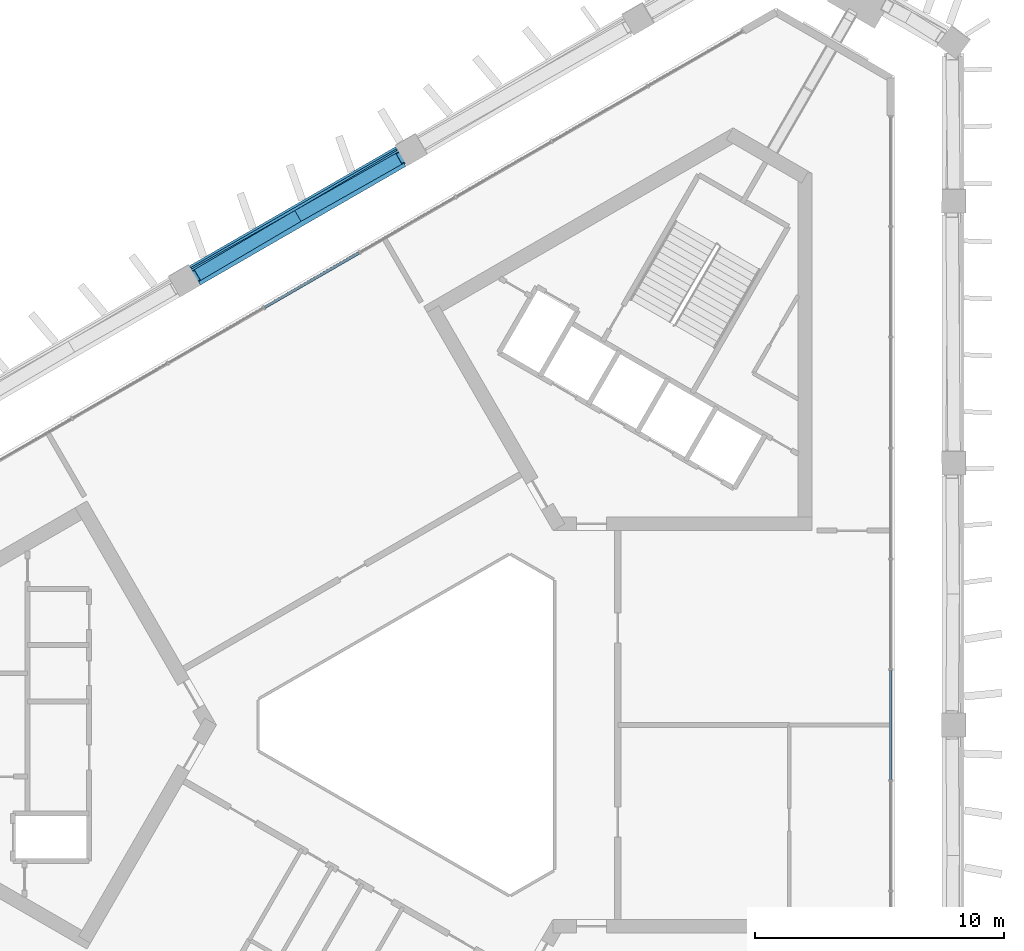
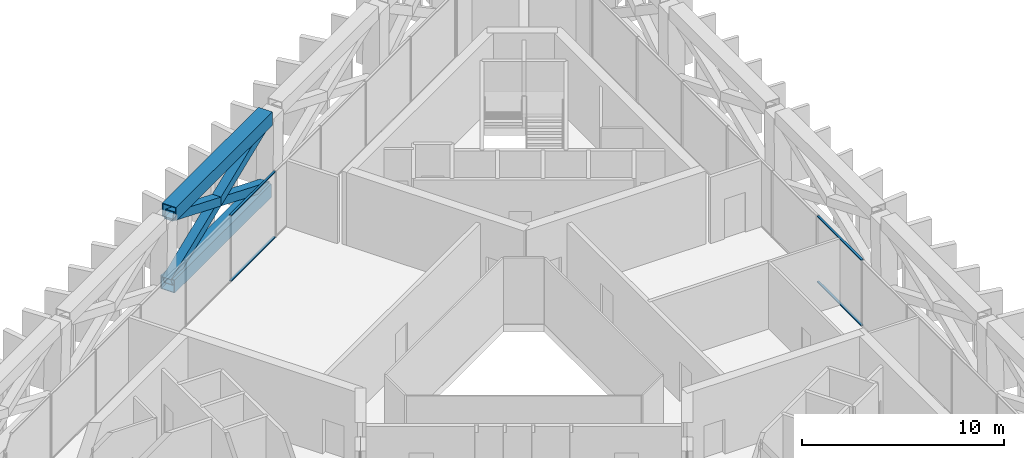
# One storey, part 6 of 15: 8 members, 2 elements without a shape of their own.
"""IFC4 building model written with IfcOpenShell, lengths in metres."""

from ifc_helpers import new_model, si_unit, direction, frame, origin, origin_2d, place, context, subcontext, project, spatial, rectangle, hollow_rectangle, extrude, material, layer, layer_set, material_profile, profile_set, type_object, element, aggregate, save


model = new_model("IFC4")

# Units and contexts
model_context = context("Model", 3, precision=1e-05, world=origin(), true_north=direction((0.0, 1.0)))
body_context = subcontext(model_context, "Body", "Model", "MODEL_VIEW")
ifc_project = project(units=[si_unit("LENGTHUNIT", "METRE"), si_unit("AREAUNIT", "SQUARE_METRE"), si_unit("VOLUMEUNIT", "CUBIC_METRE"), si_unit("PLANEANGLEUNIT", "RADIAN"), si_unit("MASSUNIT", "GRAM", prefix="KILO")], contexts=[model_context])

# Site, building, storey
site_placement = place(None, origin())
site = spatial("IfcSite", under=ifc_project, at=site_placement, CompositionType="ELEMENT")
building_placement = place(site_placement, origin())
building = spatial("IfcBuilding", under=site, at=building_placement, Name="Jabali Bay Hotel Tower and Convention Centre", CompositionType="ELEMENT")
storey_placement = place(building_placement, frame((0.0, 0.0, 201.39990234375)))
storey = spatial("IfcBuildingStorey", under=building, at=storey_placement, Name="L49", CompositionType="ELEMENT", Elevation=201.39990234375)

# Members
ifc_material_1 = material(Name="Steel Q420GJC", Category="steel")
ifc_material_profile_1 = material_profile(ifc_material_1, hollow_rectangle(XDim=0.5, YDim=0.5, WallThickness=0.030029296875, at=origin_2d()), Name="Belt brace 500x500x30")
ifc_profile_set_1 = profile_set([ifc_material_profile_1], Name="Steel Q420GJC")
member_type_1 = type_object("IfcMemberType", Name="Belt brace 500x500x30", PredefinedType="BRACE", material=ifc_profile_set_1)
member_1_placement = place(storey_placement, frame((73.399658203125, 102.84619140625, 0.198974609375), z_axis=(-0.794953730723, -0.467966185622, 0.386077990986), x_axis=(0.507299036611, -0.861770089672, 0.0)))
element("IfcMember", 1, at=member_1_placement, inside=storey, type_object=member_type_1, Name="Belt brace T4 F1.2-F1.3 x1", PredefinedType="BRACE", context=body_context, shape_type="SweptSolid", body=[
    extrude(hollow_rectangle(XDim=0.5, YDim=0.5, WallThickness=0.030029296875, at=origin_2d()), origin(), (0.0, 0.0, 1.0), 10.3662109375),
])
member_2_placement = place(storey_placement, frame((65.11865234375, 98.065185546875, 0.19970703125), z_axis=(0.802221906236, 0.454114647082, 0.387582120924), x_axis=(-0.492620217598, 0.87024440315, 0.0)))
element("IfcMember", 2, at=member_2_placement, inside=storey, type_object=member_type_1, Name="Belt brace T4 F1.2-F1.3 x2", PredefinedType="BRACE", context=body_context, shape_type="SweptSolid", body=[
    extrude(hollow_rectangle(XDim=0.5, YDim=0.5, WallThickness=0.030029296875, at=origin_2d()), origin(), (0.0, 0.0, 1.0), 10.322265625),
])
ifc_material_profile_2 = material_profile(ifc_material_1, hollow_rectangle(XDim=0.800048828125, YDim=0.800048828125, WallThickness=0.0400390625, at=origin_2d()), Name="Belt chord 800x800x40")
ifc_profile_set_2 = profile_set([ifc_material_profile_2], Name="Steel Q420GJC")
member_type_2 = type_object("IfcMemberType", Name="Belt chord 800x800x40", PredefinedType="CHORD", material=ifc_profile_set_2)
member_3_placement = place(storey_placement, frame((73.397705078125, 102.849609375, 0.0), z_axis=(-0.866033376156, -0.499986191193, 0.0), x_axis=(0.499986191193, -0.866033376156, 0.0)))
element("IfcMember", 3, at=member_3_placement, inside=storey, type_object=member_type_2, Name="Belt chord T4 F1.2-F1.3", PredefinedType="CHORD", context=body_context, shape_type="SweptSolid", body=[
    extrude(hollow_rectangle(XDim=0.800048828125, YDim=0.800048828125, WallThickness=0.0400390625, at=origin_2d()), origin(), (0.0, 0.0, 1.0), 9.562255859375),
])
member_4_placement = place(storey_placement, frame((73.4013671875, 102.749267578125, 4.400146484375), z_axis=(-0.866028777211, -0.499994157009, 0.0), x_axis=(0.499994157009, -0.866028777211, 0.0)))
element("IfcMember", 4, at=member_4_placement, inside=storey, type_object=member_type_2, Name="Belt chord T4 F1.2-F1.3", PredefinedType="CHORD", context=body_context, shape_type="SweptSolid", body=[
    extrude(hollow_rectangle(XDim=0.800048828125, YDim=0.800048828125, WallThickness=0.0400390625, at=origin_2d()), origin(), (0.0, 0.0, 1.0), 9.51513671875),
])

# Curtain wall, members
ifc_material_2 = material(Name="Aluminium and glass", Category="aluminium")
ifc_layer = layer(ifc_material_2, 0.159912109375)
ifc_layer_set = layer_set([ifc_layer], Name="Aluminium and glass")
curtain_wall_type = type_object("IfcCurtainWallType", Name="CW3 curtain wall", PredefinedType="NOTDEFINED", material=ifc_layer_set)
curtain_wall_1_placement = place(storey_placement, origin())
curtain_wall_1 = element("IfcCurtainWall", 5, at=curtain_wall_1_placement, inside=storey, type_object=curtain_wall_type, Name="CW3 curtain wall east face L49", PredefinedType="NOTDEFINED")
ifc_material_3 = material(Name="Aluminium", Category="aluminium")
ifc_material_profile_3 = material_profile(ifc_material_3, rectangle(XDim=0.1201171875, YDim=0.06005859375, at=origin_2d()), Name="CW3 transom 60 x 120")
ifc_profile_set_3 = profile_set([ifc_material_profile_3], Name="Aluminium")
member_type_3 = type_object("IfcMemberType", Name="CW3 transom 60 x 120", PredefinedType="USERDEFINED", material=ifc_profile_set_3)
member_5_placement = place(storey_placement, frame((93.03955078125, 82.191650390625, 0.030029296875), z_axis=(0.0, -1.0, 0.0), x_axis=(1.0, 0.0, 0.0)))
member_5 = element("IfcMember", 6, at=member_5_placement, type_object=member_type_3, Name="CW3 transom 6.1", ObjectType="TRANSOM", PredefinedType="USERDEFINED", context=body_context, shape_type="SweptSolid", body=[
    extrude(rectangle(XDim=0.1201171875, YDim=0.06005859375, at=origin_2d()), origin(), (0.0, 0.0, 1.0), 4.38330078125),
])
member_6_placement = place(storey_placement, frame((93.03955078125, 82.191650390625, 3.97021484375), z_axis=(0.0, -1.0, 0.0), x_axis=(1.0, 0.0, 0.0)))
member_6 = element("IfcMember", 7, at=member_6_placement, type_object=member_type_3, Name="CW3 transom 6.2", ObjectType="TRANSOM", PredefinedType="USERDEFINED", context=body_context, shape_type="SweptSolid", body=[
    extrude(rectangle(XDim=0.1201171875, YDim=0.06005859375, at=origin_2d()), origin(), (0.0, 0.0, 1.0), 4.38330078125),
])
aggregate(curtain_wall_1, [member_5, member_6])

curtain_wall_2_placement = place(storey_placement, origin())
curtain_wall_2 = element("IfcCurtainWall", 8, at=curtain_wall_2_placement, inside=storey, type_object=curtain_wall_type, Name="CW3 curtain wall north-west face L49", PredefinedType="NOTDEFINED")
member_7_placement = place(storey_placement, frame((67.93017578125, 96.74853515625, 0.030029296875), z_axis=(0.866030693553, 0.49999083774, 0.0), x_axis=(-0.49999083774, 0.866030693553, 0.0)))
member_7 = element("IfcMember", 9, at=member_7_placement, type_object=member_type_3, Name="CW3 transom 7.1", ObjectType="TRANSOM", PredefinedType="USERDEFINED", context=body_context, shape_type="SweptSolid", body=[
    extrude(rectangle(XDim=0.1201171875, YDim=0.06005859375, at=origin_2d()), origin(), (0.0, 0.0, 1.0), 4.38330078125),
])
member_8_placement = place(storey_placement, frame((67.93017578125, 96.74853515625, 3.97021484375), z_axis=(0.866030693553, 0.49999083774, 0.0), x_axis=(-0.49999083774, 0.866030693553, 0.0)))
member_8 = element("IfcMember", 10, at=member_8_placement, type_object=member_type_3, Name="CW3 transom 7.2", ObjectType="TRANSOM", PredefinedType="USERDEFINED", context=body_context, shape_type="SweptSolid", body=[
    extrude(rectangle(XDim=0.1201171875, YDim=0.06005859375, at=origin_2d()), origin(), (0.0, 0.0, 1.0), 4.38330078125),
])
aggregate(curtain_wall_2, [member_7, member_8])

save(model, "model.ifc")
